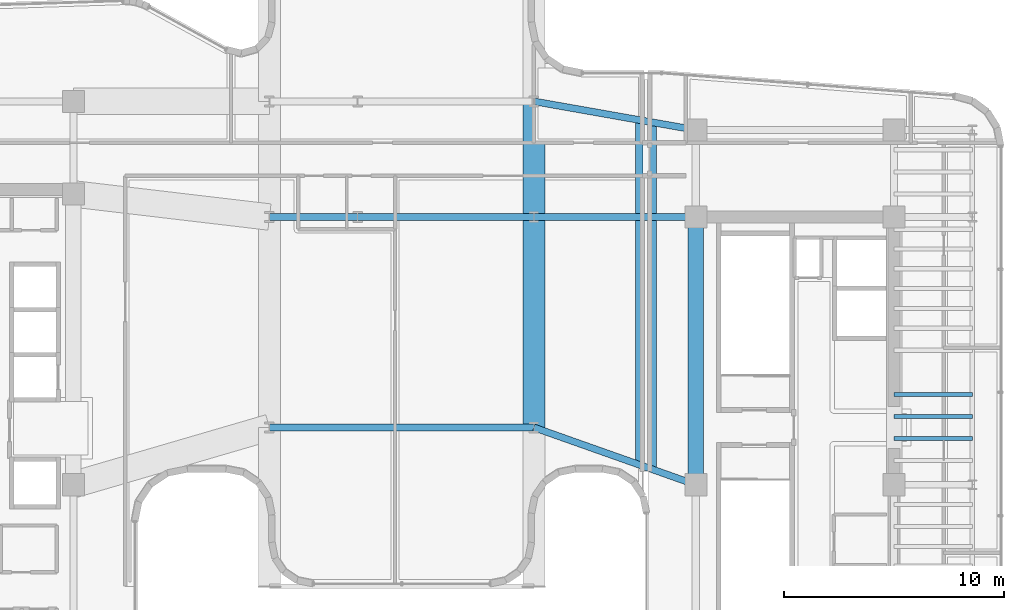
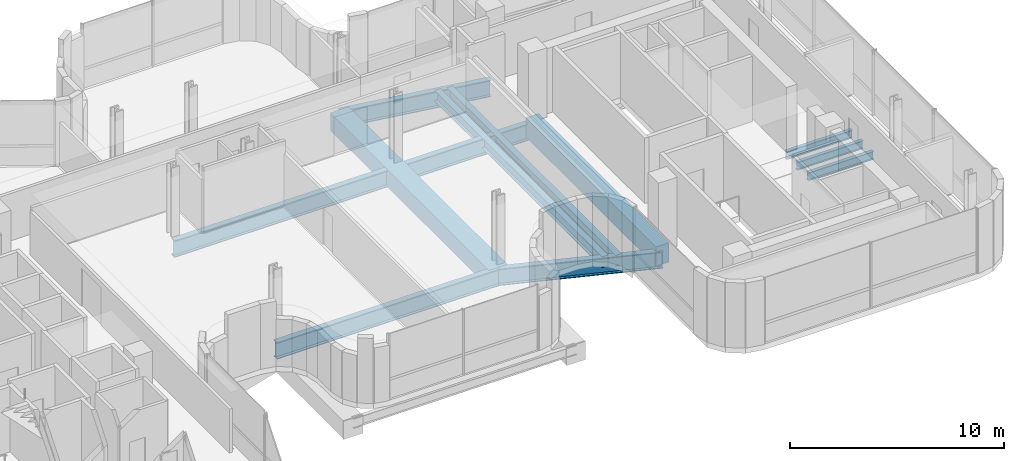
# One storey, part 14 of 35: 12 beams.
"""IFC4 building model written with IfcOpenShell, lengths in metres."""

from ifc_helpers import new_model, si_unit, direction, frame, origin, origin_2d, place, context, subcontext, project, spatial, rectangle, hollow_rectangle, i_section, extrude, source, transform, mapped, material, material_profile, profile_set, type_object, element, save


model = new_model("IFC4")

# Units and contexts
model_context = context("Model", 3, precision=1e-05, world=origin(), true_north=direction((0.0, 1.0)))
body_context = subcontext(model_context, "Body", "Model", "MODEL_VIEW")
ifc_project = project(units=[si_unit("LENGTHUNIT", "METRE"), si_unit("AREAUNIT", "SQUARE_METRE"), si_unit("VOLUMEUNIT", "CUBIC_METRE"), si_unit("PLANEANGLEUNIT", "RADIAN"), si_unit("MASSUNIT", "GRAM", prefix="KILO")], contexts=[model_context])

# Site, building, storey
site_placement = place(None, origin())
site = spatial("IfcSite", under=ifc_project, at=site_placement, CompositionType="ELEMENT")
building_placement = place(site_placement, origin())
building = spatial("IfcBuilding", under=site, at=building_placement, Name="Valdorenza Pilgrim Sanctuary Tower", CompositionType="ELEMENT")
storey_placement = place(building_placement, frame((0.0, 0.0, 192.35009765625)))
storey = spatial("IfcBuildingStorey", under=building, at=storey_placement, Name="L49", CompositionType="ELEMENT", Elevation=192.35009765625)

# Beams
ifc_material_1 = material(Name="Concrete C50/60", Category="concrete")
ifc_material_profile_1 = material_profile(ifc_material_1, rectangle(XDim=0.699951171875, YDim=1.10009765625, at=origin_2d()), Name="RC 1100x700")
ifc_profile_set_1 = profile_set([ifc_material_profile_1], Name="Concrete C50/60")
beam_type_1 = type_object("IfcBeamType", Name="STR-BM-LNT-1100", PredefinedType="LINTEL", material=ifc_profile_set_1)
shared_shape_1 = source(origin(), body_context, "Body", "SweptSolid", [
    extrude(rectangle(XDim=0.699951171875, YDim=1.10009765625, at=origin_2d()), origin(), (0.0, 0.0, 1.0), 12.150146484375),
])
beam_1_placement = place(storey_placement, frame((15.85009765625, -2.60009765625, -0.590087890625), z_axis=(0.0, 1.0, 0.0), x_axis=(-1.0, 0.0, 0.0)))
element("IfcBeam", 1, at=beam_1_placement, inside=storey, type_object=beam_type_1, Name="L49 Core B West Coupling Lintel Girder", PredefinedType="LINTEL", context=body_context, shape_type="MappedRepresentation", body=[
    mapped(shared_shape_1, transform((0.0, 0.0, 0.0), x_axis=(1.0, 0.0, 0.0), y_axis=(0.0, 1.0, 0.0), z_axis=(0.0, 0.0, 1.0), scale=1.0)),
])
ifc_material_2 = material(Name="Steel ASTM A992 Grade 50", Category="steel")
ifc_material_profile_2 = material_profile(ifc_material_2, i_section(OverallWidth=0.19091796875, OverallDepth=0.45703125, WebThickness=0.009033203125, FlangeThickness=0.014404296875, at=origin_2d()), Name="W18X50")
ifc_profile_set_2 = profile_set([ifc_material_profile_2], Name="Steel ASTM A992 Grade 50")
beam_type_2 = type_object("IfcBeamType", Name="STR-BM-JST-W18B", PredefinedType="JOIST", material=ifc_profile_set_2)
shared_shape_2 = source(origin(), body_context, "Body", "SweptSolid", [
    extrude(i_section(OverallWidth=0.19091796875, OverallDepth=0.45703125, WebThickness=0.009033203125, FlangeThickness=0.014404296875, at=origin_2d()), origin(), (0.0, 0.0, 1.0), 3.5498046875),
])
for number, where, z_axis, x_axis, name in (
    (2, (24.85009765625, -0.5, -0.548583984375), (1.0, 0.0, 0.0), (0.0, 1.0, 0.0), "L49 Composite Floor Joist JST-WB-9"),
    (3, (24.85009765625, 0.5, -0.548583984375), (1.0, 0.0, 0.0), (0.0, 1.0, 0.0), "L49 Composite Floor Joist JST-WB-10"),
    (4, (24.85009765625, 1.5, -0.548583984375), (1.0, 0.0, 0.0), (0.0, 1.0, 0.0), "L49 Composite Floor Joist JST-WB-11"),
):
    element("IfcBeam", number, at=place(storey_placement, frame(where, z_axis=z_axis, x_axis=x_axis)), inside=storey, type_object=beam_type_2, Name=name, PredefinedType="JOIST", context=body_context, shape_type="MappedRepresentation", body=[
        mapped(shared_shape_2, transform((0.0, 0.0, 0.0), x_axis=(1.0, 0.0, 0.0), y_axis=(0.0, 1.0, 0.0), z_axis=(0.0, 0.0, 1.0), scale=1.0)),
    ])
ifc_material_profile_3 = material_profile(ifc_material_2, i_section(OverallWidth=0.323974609375, OverallDepth=0.611083984375, WebThickness=0.0126953125, FlangeThickness=0.01904296875, at=origin_2d()), Name="W24X104")
ifc_profile_set_3 = profile_set([ifc_material_profile_3], Name="Steel ASTM A992 Grade 50")
beam_type_3 = type_object("IfcBeamType", Name="STR-BM-GRD-W24B", PredefinedType="BEAM", material=ifc_profile_set_3)
shared_shape_3 = source(origin(), body_context, "Body", "SweptSolid", [
    extrude(i_section(OverallWidth=0.323974609375, OverallDepth=0.611083984375, WebThickness=0.0126953125, FlangeThickness=0.01904296875, at=origin_2d()), origin(), (0.0, 0.0, 1.0), 15.639892578125),
])
beam_2_placement = place(storey_placement, frame((13.280029296875, -1.68994140625, -0.62548828125), z_axis=(0.0, 1.0, 0.0), x_axis=(-1.0, 0.0, 0.0)))
element("IfcBeam", 5, at=beam_2_placement, inside=storey, type_object=beam_type_3, Name="L49 Bridge Joint Edge Header PRY-JNT-W", PredefinedType="BEAM", context=body_context, shape_type="MappedRepresentation", body=[
    mapped(shared_shape_3, transform((0.0, 0.0, 0.0), x_axis=(1.0, 0.0, 0.0), y_axis=(0.0, 1.0, 0.0), z_axis=(0.0, 0.0, 1.0), scale=1.0)),
])
shared_shape_4 = source(origin(), body_context, "Body", "SweptSolid", [
    extrude(i_section(OverallWidth=0.323974609375, OverallDepth=0.611083984375, WebThickness=0.0126953125, FlangeThickness=0.01904296875, at=origin_2d()), origin(), (0.0, 0.0, 1.0), 15.75),
])
beam_3_placement = place(storey_placement, frame((13.89990234375, -1.909912109375, -0.62548828125), z_axis=(0.0, 1.0, 0.0), x_axis=(-1.0, 0.0, 0.0)))
element("IfcBeam", 6, at=beam_3_placement, inside=storey, type_object=beam_type_3, Name="L49 Wing B Joint Edge Header PRY-JNT-E", PredefinedType="BEAM", context=body_context, shape_type="MappedRepresentation", body=[
    mapped(shared_shape_4, transform((0.0, 0.0, 0.0), x_axis=(1.0, 0.0, 0.0), y_axis=(0.0, 1.0, 0.0), z_axis=(0.0, 0.0, 1.0), scale=1.0)),
])
ifc_material_3 = material(Name="Steel ASTM A572 Grade 42", Category="steel")
ifc_material_profile_4 = material_profile(ifc_material_3, hollow_rectangle(XDim=1.0, YDim=1.0, WallThickness=0.080078125, at=origin_2d()), Name="BOX 1000x1000x80")
ifc_profile_set_4 = profile_set([ifc_material_profile_4], Name="Steel ASTM A572 Grade 42")
beam_type_4 = type_object("IfcBeamType", Name="STR-BM-PROW-CANT", PredefinedType="BEAM", material=ifc_profile_set_4)
shared_shape_5 = source(origin(), body_context, "Body", "SweptSolid", [
    extrude(hollow_rectangle(XDim=1.0, YDim=1.0, WallThickness=0.080078125, at=origin_2d()), origin(), (0.0, 0.0, 1.0), 14.800048828125),
])
beam_4_placement = place(storey_placement, frame((8.5, 0.0, -0.820068359375), z_axis=(0.0, 1.0, 0.0), x_axis=(-1.0, 0.0, 0.0)))
element("IfcBeam", 7, at=beam_4_placement, inside=storey, type_object=beam_type_4, Name="L49 Sanctuary Backspan Girder PROW-BACK-N-E", PredefinedType="BEAM", context=body_context, shape_type="MappedRepresentation", body=[
    mapped(shared_shape_5, transform((0.0, 0.0, 0.0), x_axis=(1.0, 0.0, 0.0), y_axis=(0.0, 1.0, 0.0), z_axis=(0.0, 0.0, 1.0), scale=1.0)),
])
ifc_material_profile_5 = material_profile(ifc_material_2, i_section(OverallWidth=0.31005859375, OverallDepth=0.949951171875, WebThickness=0.0244140625, FlangeThickness=0.0439453125, at=origin_2d()), Name="W36X256")
ifc_profile_set_5 = profile_set([ifc_material_profile_5], Name="Steel ASTM A992 Grade 50")
beam_type_5 = type_object("IfcBeamType", Name="STR-BM-GRD-W36B", PredefinedType="BEAM", material=ifc_profile_set_5)
shared_shape_6 = source(origin(), body_context, "Body", "SweptSolid", [
    extrude(i_section(OverallWidth=0.31005859375, OverallDepth=0.949951171875, WebThickness=0.0244140625, FlangeThickness=0.0439453125, at=origin_2d()), origin(), (0.0, 0.0, 1.0), 12.0),
])
for number, where, z_axis, x_axis, name in (
    (8, (-3.5, 0.0, -0.795166015625), (1.0, 0.0, 0.0), (0.0, 1.0, 0.0), "L49 Portal Bridge Span Girder PRY-G2-P0"),
    (9, (-3.5, 9.550048828125, -0.795166015625), (1.0, 0.0, 0.0), (0.0, 1.0, 0.0), "L49 Portal Bridge Span Girder PRY-G2-P9"),
):
    element("IfcBeam", number, at=place(storey_placement, frame(where, z_axis=z_axis, x_axis=x_axis)), inside=storey, type_object=beam_type_5, Name=name, PredefinedType="BEAM", context=body_context, shape_type="MappedRepresentation", body=[
        mapped(shared_shape_6, transform((0.0, 0.0, 0.0), x_axis=(1.0, 0.0, 0.0), y_axis=(0.0, 1.0, 0.0), z_axis=(0.0, 0.0, 1.0), scale=1.0)),
    ])
shared_shape_7 = source(origin(), body_context, "Body", "SweptSolid", [
    extrude(i_section(OverallWidth=0.31005859375, OverallDepth=0.949951171875, WebThickness=0.0244140625, FlangeThickness=0.0439453125, at=origin_2d()), origin(), (0.0, 0.0, 1.0), 7.79638671875),
])
beam_5_placement = place(storey_placement, frame((8.5, 0.0, -0.795166015625), z_axis=(0.942750751534, -0.333498156641, 0.0), x_axis=(0.333498156641, 0.942750751534, 0.0)))
element("IfcBeam", 10, at=beam_5_placement, inside=storey, type_object=beam_type_5, Name="L49 Portal Bridge East Seat Girder PRY-G3-P0", PredefinedType="BEAM", context=body_context, shape_type="MappedRepresentation", body=[
    mapped(shared_shape_7, transform((0.0, 0.0, 0.0), x_axis=(1.0, 0.0, 0.0), y_axis=(0.0, 1.0, 0.0), z_axis=(0.0, 0.0, 1.0), scale=1.0)),
])
shared_shape_8 = source(origin(), body_context, "Body", "SweptSolid", [
    extrude(i_section(OverallWidth=0.31005859375, OverallDepth=0.949951171875, WebThickness=0.0244140625, FlangeThickness=0.0439453125, at=origin_2d()), origin(), (0.0, 0.0, 1.0), 7.35009765625),
])
beam_6_placement = place(storey_placement, frame((8.5, 9.550048828125, -0.795166015625), z_axis=(1.0, 0.0, 0.0), x_axis=(0.0, 1.0, 0.0)))
element("IfcBeam", 11, at=beam_6_placement, inside=storey, type_object=beam_type_5, Name="L49 Portal Bridge East Seat Girder PRY-G3-P9", PredefinedType="BEAM", context=body_context, shape_type="MappedRepresentation", body=[
    mapped(shared_shape_8, transform((0.0, 0.0, 0.0), x_axis=(1.0, 0.0, 0.0), y_axis=(0.0, 1.0, 0.0), z_axis=(0.0, 0.0, 1.0), scale=1.0)),
])
shared_shape_9 = source(origin(), body_context, "Body", "SweptSolid", [
    extrude(i_section(OverallWidth=0.31005859375, OverallDepth=0.949951171875, WebThickness=0.0244140625, FlangeThickness=0.0439453125, at=origin_2d()), origin(), (0.0, 0.0, 1.0), 7.464111328125),
])
beam_7_placement = place(storey_placement, frame((8.5, 14.800048828125, -0.795166015625), z_axis=(0.984715322541, -0.17417156356, 0.0), x_axis=(0.17417156356, 0.984715322541, 0.0)))
element("IfcBeam", 12, at=beam_7_placement, inside=storey, type_object=beam_type_5, Name="L49 Portal Bridge East Seat Girder PRY-G3-P14", PredefinedType="BEAM", context=body_context, shape_type="MappedRepresentation", body=[
    mapped(shared_shape_9, transform((0.0, 0.0, 0.0), x_axis=(1.0, 0.0, 0.0), y_axis=(0.0, 1.0, 0.0), z_axis=(0.0, 0.0, 1.0), scale=1.0)),
])

save(model, "model.ifc")
